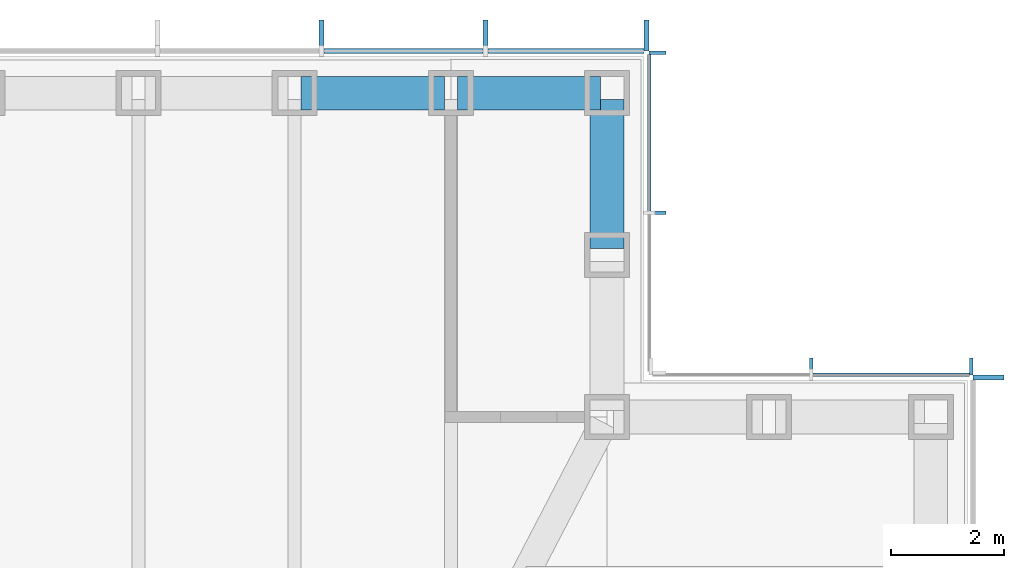
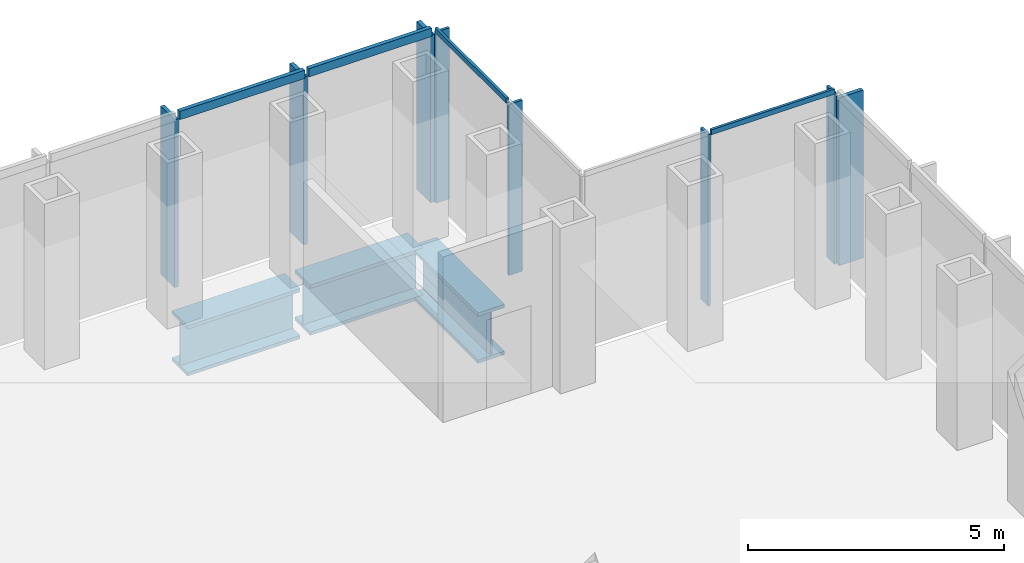
# One storey, part 6 of 16: 12 members, 3 beams, 4 elements without a shape of their own.
"""IFC4 building model written with IfcOpenShell, lengths in metres."""

from ifc_helpers import new_model, si_unit, direction, frame, origin, origin_2d, place, context, subcontext, project, spatial, rectangle, i_section, extrude, material, material_profile, profile_set, type_object, element, aggregate, save


model = new_model("IFC4")

# Units and contexts
model_context = context("Model", 3, precision=1e-05, world=origin(), true_north=direction((0.0, 1.0)))
body_context = subcontext(model_context, "Body", "Model", "MODEL_VIEW")
ifc_project = project(units=[si_unit("LENGTHUNIT", "METRE"), si_unit("AREAUNIT", "SQUARE_METRE"), si_unit("VOLUMEUNIT", "CUBIC_METRE"), si_unit("PLANEANGLEUNIT", "RADIAN"), si_unit("MASSUNIT", "GRAM", prefix="KILO")], contexts=[model_context])

# Site, building, storey
site_placement = place(None, origin())
site = spatial("IfcSite", under=ifc_project, at=site_placement, CompositionType="ELEMENT")
building_placement = place(site_placement, origin())
building = spatial("IfcBuilding", under=site, at=building_placement, Name="Daluyong Arena Tower", CompositionType="ELEMENT")
storey_placement = place(building_placement, frame((0.0, 0.0, 275.5)))
storey = spatial("IfcBuildingStorey", under=building, at=storey_placement, Name="L62", CompositionType="ELEMENT", Elevation=275.5)

# Curtain wall, member
ifc_material_1 = material(Name="Bronze anodised aluminium and glass", Category="aluminium")
curtain_wall_type_1 = type_object("IfcCurtainWallType", Name="Curtain wall CW4", PredefinedType="USERDEFINED", material=ifc_material_1)
curtain_wall_1_placement = place(storey_placement, origin())
curtain_wall_1 = element("IfcCurtainWall", 1, at=curtain_wall_1_placement, inside=storey, type_object=curtain_wall_type_1, Name="curtain wall L62 E", ObjectType="UNITISED CURTAIN WALL", PredefinedType="USERDEFINED")
ifc_material_2 = material(Name="Bronze anodised aluminium fin", Category="aluminium")
ifc_material_profile_1 = material_profile(ifc_material_2, rectangle(XDim=0.550048828125, YDim=0.090087890625, at=origin_2d()))
ifc_profile_set_1 = profile_set([ifc_material_profile_1], Name="Bronze anodised aluminium fin")
member_type_1 = type_object("IfcMemberType", Name="CW4 bronze fin 550x90", PredefinedType="MULLION", material=ifc_profile_set_1)
member_1_placement = place(storey_placement, frame((78.02490234375, 95.955078125, 0.0), z_axis=(0.0, 0.0, 1.0), x_axis=(-1.0, 0.0, 0.0)))
member_1 = element("IfcMember", 2, at=member_1_placement, type_object=member_type_1, Name="curtain wall L62 E fin 12", PredefinedType="MULLION", context=body_context, shape_type="SweptSolid", body=[
    extrude(rectangle(XDim=0.550048828125, YDim=0.090087890625, at=origin_2d()), origin(), (0.0, 0.0, 1.0), 4.0),
])
aggregate(curtain_wall_1, [member_1])

# Curtain wall, members
curtain_wall_2_placement = place(storey_placement, origin())
curtain_wall_2 = element("IfcCurtainWall", 3, at=curtain_wall_2_placement, inside=storey, type_object=curtain_wall_type_1, Name="curtain wall L62 N", ObjectType="UNITISED CURTAIN WALL", PredefinedType="USERDEFINED")
member_2_placement = place(storey_placement, frame((71.955078125, 102.02490234375, 0.0), z_axis=(0.0, 0.0, 1.0), x_axis=(0.0, -1.0, 0.0)))
member_2 = element("IfcMember", 4, at=member_2_placement, type_object=member_type_1, Name="curtain wall L62 N fin 1", PredefinedType="MULLION", context=body_context, shape_type="SweptSolid", body=[
    extrude(rectangle(XDim=0.550048828125, YDim=0.090087890625, at=origin_2d()), origin(), (0.0, 0.0, 1.0), 4.0),
])
member_3_placement = place(storey_placement, frame((69.0908203125, 102.02490234375, 0.0), z_axis=(0.0, 0.0, 1.0), x_axis=(0.0, -1.0, 0.0)))
member_3 = element("IfcMember", 5, at=member_3_placement, type_object=member_type_1, Name="curtain wall L62 N fin 2", PredefinedType="MULLION", context=body_context, shape_type="SweptSolid", body=[
    extrude(rectangle(XDim=0.550048828125, YDim=0.090087890625, at=origin_2d()), origin(), (0.0, 0.0, 1.0), 4.0),
])
member_4_placement = place(storey_placement, frame((66.181884765625, 102.02490234375, 0.0), z_axis=(0.0, 0.0, 1.0), x_axis=(0.0, -1.0, 0.0)))
member_4 = element("IfcMember", 6, at=member_4_placement, type_object=member_type_1, Name="curtain wall L62 N fin 3", PredefinedType="MULLION", context=body_context, shape_type="SweptSolid", body=[
    extrude(rectangle(XDim=0.550048828125, YDim=0.090087890625, at=origin_2d()), origin(), (0.0, 0.0, 1.0), 4.0),
])
ifc_material_3 = material(Name="Bronze anodised aluminium", Category="aluminium")
ifc_material_profile_2 = material_profile(ifc_material_3, rectangle(XDim=0.090087890625, YDim=0.199951171875, at=origin_2d()))
ifc_profile_set_2 = profile_set([ifc_material_profile_2], Name="Bronze anodised aluminium")
member_type_2 = type_object("IfcMemberType", Name="CW4 stack transom 200x90", PredefinedType="USERDEFINED", material=ifc_profile_set_2)
member_5_placement = place(storey_placement, frame((71.909912109375, 101.75, 4.10009765625), z_axis=(-1.0, 0.0, 0.0), x_axis=(0.0, -1.0, 0.0)))
member_5 = element("IfcMember", 7, at=member_5_placement, type_object=member_type_2, Name="curtain wall L62 N transom 1", ObjectType="TRANSOM", PredefinedType="USERDEFINED", context=body_context, shape_type="SweptSolid", body=[
    extrude(rectangle(XDim=0.090087890625, YDim=0.199951171875, at=origin_2d()), origin(), (0.0, 0.0, 1.0), 2.77392578125),
])
member_6_placement = place(storey_placement, frame((69.0458984375, 101.75, 4.10009765625), z_axis=(-1.0, 0.0, 0.0), x_axis=(0.0, -1.0, 0.0)))
member_6 = element("IfcMember", 8, at=member_6_placement, type_object=member_type_2, Name="curtain wall L62 N transom 2", ObjectType="TRANSOM", PredefinedType="USERDEFINED", context=body_context, shape_type="SweptSolid", body=[
    extrude(rectangle(XDim=0.090087890625, YDim=0.199951171875, at=origin_2d()), origin(), (0.0, 0.0, 1.0), 2.819091796875),
])
aggregate(curtain_wall_2, [member_2, member_3, member_4, member_5, member_6])

ifc_material_4 = material(Name="Bronze anodised aluminium and glass", Category="aluminium")
curtain_wall_type_2 = type_object("IfcCurtainWallType", Name="Curtain wall CW7", PredefinedType="USERDEFINED", material=ifc_material_4)
curtain_wall_3_placement = place(storey_placement, origin())
curtain_wall_3 = element("IfcCurtainWall", 9, at=curtain_wall_3_placement, inside=storey, type_object=curtain_wall_type_2, Name="curtain wall L62 NE-N", ObjectType="UNITISED CURTAIN WALL", PredefinedType="USERDEFINED")
ifc_material_5 = material(Name="Bronze anodised aluminium fin", Category="aluminium")
ifc_material_profile_3 = material_profile(ifc_material_5, rectangle(XDim=0.300048828125, YDim=0.06005859375, at=origin_2d()))
ifc_profile_set_3 = profile_set([ifc_material_profile_3], Name="Bronze anodised aluminium fin")
member_type_3 = type_object("IfcMemberType", Name="CW7 bronze fin 300x60", PredefinedType="MULLION", material=ifc_profile_set_3)
member_7_placement = place(storey_placement, frame((77.719970703125, 96.14990234375, 0.0), z_axis=(0.0, 0.0, 1.0), x_axis=(0.0, -1.0, 0.0)))
member_7 = element("IfcMember", 10, at=member_7_placement, type_object=member_type_3, Name="curtain wall L62 NE-N fin 1", PredefinedType="MULLION", context=body_context, shape_type="SweptSolid", body=[
    extrude(rectangle(XDim=0.300048828125, YDim=0.06005859375, at=origin_2d()), origin(), (0.0, 0.0, 1.0), 4.080078125),
])
member_8_placement = place(storey_placement, frame((74.875, 96.14990234375, 0.0), z_axis=(0.0, 0.0, 1.0), x_axis=(0.0, -1.0, 0.0)))
member_8 = element("IfcMember", 11, at=member_8_placement, type_object=member_type_3, Name="curtain wall L62 NE-N fin 2", PredefinedType="MULLION", context=body_context, shape_type="SweptSolid", body=[
    extrude(rectangle(XDim=0.300048828125, YDim=0.06005859375, at=origin_2d()), origin(), (0.0, 0.0, 1.0), 4.080078125),
])

curtain_wall_4_placement = place(storey_placement, origin())
curtain_wall_4 = element("IfcCurtainWall", 12, at=curtain_wall_4_placement, inside=storey, type_object=curtain_wall_type_2, Name="curtain wall L62 NE-E", ObjectType="UNITISED CURTAIN WALL", PredefinedType="USERDEFINED")
member_9_placement = place(storey_placement, frame((72.14990234375, 98.875, 0.0), z_axis=(0.0, 0.0, 1.0), x_axis=(-1.0, 0.0, 0.0)))
member_9 = element("IfcMember", 13, at=member_9_placement, type_object=member_type_3, Name="curtain wall L62 NE-E fin 2", PredefinedType="MULLION", context=body_context, shape_type="SweptSolid", body=[
    extrude(rectangle(XDim=0.300048828125, YDim=0.06005859375, at=origin_2d()), origin(), (0.0, 0.0, 1.0), 4.080078125),
])
member_10_placement = place(storey_placement, frame((72.14990234375, 101.719970703125, 0.0), z_axis=(0.0, 0.0, 1.0), x_axis=(-1.0, 0.0, 0.0)))
member_10 = element("IfcMember", 14, at=member_10_placement, type_object=member_type_3, Name="curtain wall L62 NE-E fin 3", PredefinedType="MULLION", context=body_context, shape_type="SweptSolid", body=[
    extrude(rectangle(XDim=0.300048828125, YDim=0.06005859375, at=origin_2d()), origin(), (0.0, 0.0, 1.0), 4.080078125),
])

# Member
ifc_material_6 = material(Name="Bronze anodised aluminium", Category="aluminium")
ifc_material_profile_4 = material_profile(ifc_material_6, rectangle(XDim=0.06005859375, YDim=0.1201171875, at=origin_2d()))
ifc_profile_set_4 = profile_set([ifc_material_profile_4], Name="Bronze anodised aluminium")
member_type_4 = type_object("IfcMemberType", Name="CW7 stack transom 120x60", PredefinedType="USERDEFINED", material=ifc_profile_set_4)
member_11_placement = place(storey_placement, frame((77.68994140625, 96.0, 4.139892578125), z_axis=(-1.0, 0.0, 0.0), x_axis=(0.0, -1.0, 0.0)))
member_11 = element("IfcMember", 15, at=member_11_placement, type_object=member_type_4, Name="curtain wall L62 NE-N transom 1", ObjectType="TRANSOM", PredefinedType="USERDEFINED", context=body_context, shape_type="SweptSolid", body=[
    extrude(rectangle(XDim=0.06005859375, YDim=0.1201171875, at=origin_2d()), origin(), (0.0, 0.0, 1.0), 2.784912109375),
])

aggregate(curtain_wall_3, [member_7, member_8, member_11])

member_12_placement = place(storey_placement, frame((72.0, 98.905029296875, 4.139892578125), z_axis=(0.0, 1.0, 0.0), x_axis=(-1.0, 0.0, 0.0)))
member_12 = element("IfcMember", 16, at=member_12_placement, type_object=member_type_4, Name="curtain wall L62 NE-E transom 2", ObjectType="TRANSOM", PredefinedType="USERDEFINED", context=body_context, shape_type="SweptSolid", body=[
    extrude(rectangle(XDim=0.06005859375, YDim=0.1201171875, at=origin_2d()), origin(), (0.0, 0.0, 1.0), 2.784912109375),
])

aggregate(curtain_wall_4, [member_9, member_10, member_12])

# Beams
ifc_material_7 = material(Name="Steel ASTM A572 Grade 50", Category="steel")
ifc_material_profile_5 = material_profile(ifc_material_7, i_section(OverallWidth=0.60009765625, OverallDepth=1.199951171875, WebThickness=0.03, FlangeThickness=0.08, at=origin_2d()))
ifc_profile_set_5 = profile_set([ifc_material_profile_5], Name="Steel ASTM A572 Grade 50")
beam_type = type_object("IfcBeamType", Name="Spandrel Z4 PG1200X600", PredefinedType="SPANDREL", material=ifc_profile_set_5)
beam_placement = place(storey_placement, frame((71.25, 98.239990234375, -0.760009765625), z_axis=(0.0, 1.0, 0.0), x_axis=(-1.0, 0.0, 0.0)))
element("IfcBeam", 17, at=beam_placement, inside=storey, type_object=beam_type, Name="spandrel z4 SB9", PredefinedType="SPANDREL", context=body_context, shape_type="SweptSolid", body=[
    extrude(i_section(OverallWidth=0.60009765625, OverallDepth=1.199951171875, WebThickness=0.03, FlangeThickness=0.08, at=origin_2d()), origin(), (0.0, 0.0, 1.0), 2.64501953125),
])
for number, where, z_axis, x_axis, name in (
    (18, (71.135009765625, 101.0, -0.760009765625), (-1.0, 0.0, 0.0), (0.0, -1.0, 0.0), "spandrel z4 SB9"),
    (19, (68.3623046875, 101.0, -0.760009765625), (-1.0, 0.0, 0.0), (0.0, -1.0, 0.0), "spandrel z4 SB9"),
):
    element("IfcBeam", number, at=place(storey_placement, frame(where, z_axis=z_axis, x_axis=x_axis)), inside=storey, type_object=beam_type, Name=name, PredefinedType="SPANDREL", context=body_context, shape_type="SweptSolid", body=[
        extrude(i_section(OverallWidth=0.60009765625, OverallDepth=1.199951171875, WebThickness=0.03, FlangeThickness=0.08, at=origin_2d()), origin(), (0.0, 0.0, 1.0), 2.542724609375),
    ])

save(model, "model.ifc")
